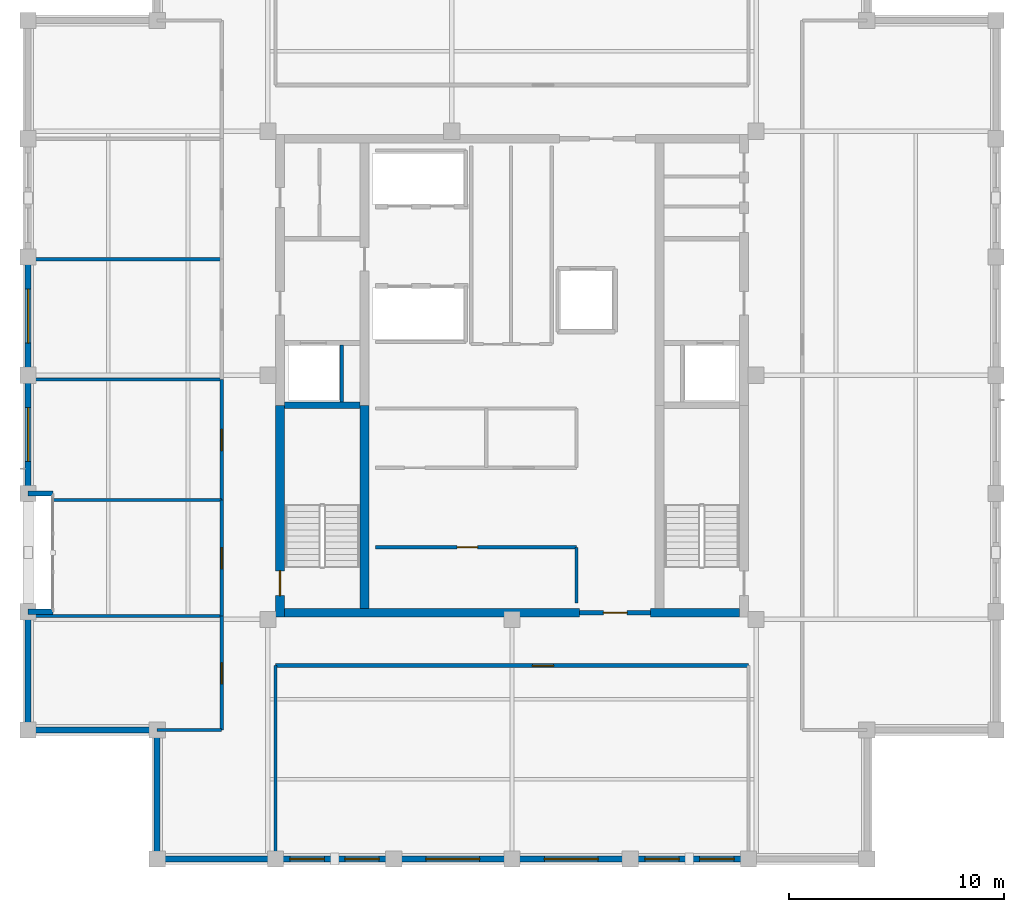
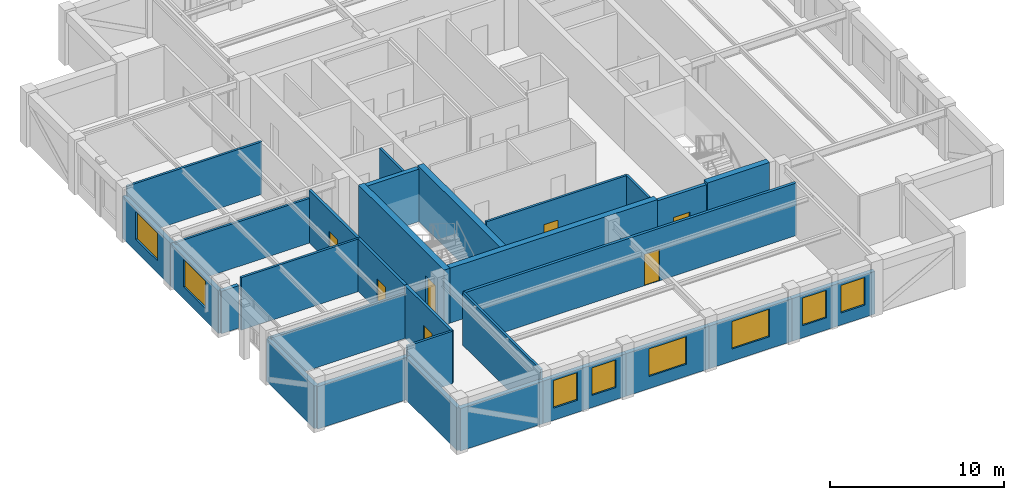
# One storey, part 9 of 13: 31 walls, 8 windows, 7 doors, 15 openings.
"""IFC4 building model written with IfcOpenShell, lengths in metres."""

import ifcopenshell
import ifcopenshell.guid

model = None  # the IFC model being written
_history = None  # IfcOwnerHistory: only IFC2X3 demands one
_inside = {}  # id of a spatial element -> (the spatial element, [elements in it])
_under = {}  # id of a project, library or spatial element -> (it, [spatial elements below it])
_declared = {}  # id of a project -> (the project, [libraries it declares])
_typed = {}  # id of a type object -> (the type object, [elements of that type])
_made_of = {}  # id of a material, layer set ... -> (it, [elements and type objects made of it])


def new_model(schema):
    """Start an empty IFC model of exactly this schema.

    Asked for "IFC4X3", IfcOpenShell would pick the latest addendum, in which some entities
    have other attributes; the version numbers below select the first issue.
    IFC2X3 requires an IfcOwnerHistory on every rooted entity: one is made here for all.
    """
    global model, _history
    if schema == "IFC4X3":
        model = ifcopenshell.file(schema_version=(4, 3, 0, 0))
    else:
        model = ifcopenshell.file(schema=schema)
    _inside.clear()
    _under.clear()
    _declared.clear()
    _typed.clear()
    _made_of.clear()
    _history = None
    if model.schema == "IFC2X3":
        org = make("IfcOrganization", Name="unknown")
        user = make(
            "IfcPersonAndOrganization",
            ThePerson=make("IfcPerson", FamilyName="unknown"),
            TheOrganization=org,
        )
        app = make(
            "IfcApplication",
            ApplicationDeveloper=org,
            Version="unknown",
            ApplicationFullName="unknown",
            ApplicationIdentifier="unknown",
        )
        _history = make(
            "IfcOwnerHistory",
            OwningUser=user,
            OwningApplication=app,
            ChangeAction="ADDED",
            CreationDate=0,
        )
    return model


def make(cls, **values):
    """One entity of the class cls with the attributes given. An attribute that is None is left unset."""
    return model.create_entity(
        cls, **{name: value for name, value in values.items() if value is not None}
    )


def rooted(cls, **values):
    """An entity with a GlobalId (a new one), such as an element, a storey or a relation."""
    return make(cls, GlobalId=ifcopenshell.guid.new(), OwnerHistory=_history, **values)


def si_unit(unit_type, name, prefix=None):
    """IfcSIUnit, for example si_unit("LENGTHUNIT", "METRE", prefix="MILLI")."""
    return make("IfcSIUnit", UnitType=unit_type, Prefix=prefix, Name=name)


def assignment(units):
    """IfcUnitAssignment: the units of a project."""
    return None if units is None else make("IfcUnitAssignment", Units=units)


def point(xyz):
    """IfcCartesianPoint."""
    return None if xyz is None else make("IfcCartesianPoint", Coordinates=xyz)


def direction(xyz):
    """IfcDirection."""
    return None if xyz is None else make("IfcDirection", DirectionRatios=xyz)


def frame(location, z_axis=None, x_axis=None):
    """IfcAxis2Placement3D, a coordinate frame: its origin and axes. An axis left out is left unset."""
    return make(
        "IfcAxis2Placement3D",
        Location=point(location),
        Axis=direction(z_axis),
        RefDirection=direction(x_axis),
    )


def frame_2d(location, x_axis=None):
    """IfcAxis2Placement2D, a coordinate frame in the plane: its origin and x axis."""
    return make(
        "IfcAxis2Placement2D", Location=point(location), RefDirection=direction(x_axis)
    )


def origin():
    """The frame at (0, 0, 0) with its axes left unset."""
    return frame((0.0, 0.0, 0.0))


def place(relative_to, where):
    """IfcLocalPlacement: puts the frame where relative to a parent placement (None: the world)."""
    return make(
        "IfcLocalPlacement", PlacementRelTo=relative_to, RelativePlacement=where
    )


def context(
    kind, dimensions, precision=None, world=None, true_north=None, identifier=None
):
    """IfcGeometricRepresentationContext, for example the 3D "Model" context."""
    return make(
        "IfcGeometricRepresentationContext",
        ContextIdentifier=identifier,
        ContextType=kind,
        CoordinateSpaceDimension=dimensions,
        Precision=precision,
        WorldCoordinateSystem=world,
        TrueNorth=true_north,
    )


def subcontext(parent, identifier, kind, view, scale=None):
    """IfcGeometricRepresentationSubContext, for example "Body" below "Model"."""
    return make(
        "IfcGeometricRepresentationSubContext",
        ContextIdentifier=identifier,
        ContextType=kind,
        ParentContext=parent,
        TargetScale=scale,
        TargetView=view,
    )


def project(units=None, contexts=None):
    """IfcProject with its units and contexts."""
    return rooted(
        "IfcProject",
        Name="project",
        RepresentationContexts=contexts,
        UnitsInContext=assignment(units),
    )


def spatial(cls, under=None, at=None, **own):
    """A site, building, storey or space (cls), placed at a placement, below another one or the project."""
    s = rooted(cls, ObjectPlacement=at, **own)
    if under is not None:
        _under.setdefault(under.id(), (under, []))[1].append(s)
    return s


def profile(cls, at=None, kind="AREA", **sizes):
    """A parametric profile (cls). Its sizes go by their IFC names, for example OverallWidth=200.0."""
    return make(cls, ProfileType=kind, Position=at, **sizes)


def rectangle(**sizes):
    """IfcRectangleProfileDef."""
    return profile("IfcRectangleProfileDef", **sizes)


def extrude(swept, where, along, depth):
    """IfcExtrudedAreaSolid: the profile swept, set in the frame where, extruded along a direction by depth."""
    return make(
        "IfcExtrudedAreaSolid",
        SweptArea=swept,
        Position=where,
        ExtrudedDirection=direction(along),
        Depth=depth,
    )


def shape(context_of_items, identifier, shape_type, items):
    """IfcShapeRepresentation: the items that make up one representation, for example the "Body"."""
    return make(
        "IfcShapeRepresentation",
        ContextOfItems=context_of_items,
        RepresentationIdentifier=identifier,
        RepresentationType=shape_type,
        Items=items,
    )


def material(Name=None, Category=None):
    """IfcMaterial."""
    return make("IfcMaterial", Name=Name, Category=Category)


def layer(
    of_material, thickness, ventilated=None, Name=None, Category=None, Priority=None
):
    """IfcMaterialLayer: one layer of a wall or slab, of a material (None: an air gap)."""
    return make(
        "IfcMaterialLayer",
        Material=of_material,
        LayerThickness=thickness,
        IsVentilated=ventilated,
        Name=Name,
        Category=Category,
        Priority=Priority,
    )


def layer_set(layers, Name=None):
    """IfcMaterialLayerSet."""
    return make("IfcMaterialLayerSet", MaterialLayers=layers, LayerSetName=Name)


def made_of(thing, what):
    """Note that an element or type object is made of a material, layer set ...; save() writes the relation."""
    if what is not None:
        _made_of.setdefault(what.id(), (what, []))[1].append(thing)
    return thing


def type_object(cls, material=None, **own):
    """A type object (cls), such as IfcWallType, which elements share."""
    return made_of(rooted(cls, **own), material)


def element(
    cls,
    number,
    at=None,
    inside=None,
    cuts=None,
    type_object=None,
    material=None,
    context=None,
    identifier="Body",
    shape_type=None,
    held_by="IfcProductDefinitionShape",
    body=None,
    shapes=None,
    **own,
):
    """One element of the class cls, such as IfcWall. Its Tag is "e" and its number.

    at: its placement. inside: the storey or other place that contains it. cuts: it is an
    opening in that element (IfcRelVoidsElement). A single representation is given by context,
    identifier, shape_type and body (its items); several are given by shapes. held_by: the class
    of the entity that holds the representations. save() writes the other relations.
    """
    e = rooted(cls, Tag="e%d" % number, ObjectPlacement=at, **own)
    if body is not None:
        shapes = [shape(context, identifier, shape_type, body)]
    if shapes is not None:
        e.Representation = make(held_by, Representations=shapes)
    if inside is not None:
        _inside.setdefault(inside.id(), (inside, []))[1].append(e)
    if cuts is not None:
        rooted(
            "IfcRelVoidsElement", RelatingBuildingElement=cuts, RelatedOpeningElement=e
        )
    if type_object is not None:
        _typed.setdefault(type_object.id(), (type_object, []))[1].append(e)
    return made_of(e, material)


def fill(opening, filler):
    """IfcRelFillsElement: the door or window that sits in an opening."""
    return rooted(
        "IfcRelFillsElement",
        RelatingOpeningElement=opening,
        RelatedBuildingElement=filler,
    )


def aggregate(whole, parts):
    """IfcRelAggregates: a whole, such as a stair, and the parts it consists of."""
    return rooted("IfcRelAggregates", RelatingObject=whole, RelatedObjects=parts)


def save(model, path):
    """Write the relations noted so far, then the file.

    IfcRelAggregates (storeys below a building ...), IfcRelContainedInSpatialStructure (elements
    in a storey), IfcRelDefinesByType, IfcRelAssociatesMaterial and IfcRelDeclares: one each for
    every whole, place, type object, material and project.
    """
    for whole, parts in _under.values():
        aggregate(whole, parts)
    for where, things in _inside.values():
        rooted(
            "IfcRelContainedInSpatialStructure",
            RelatedElements=things,
            RelatingStructure=where,
        )
    for kind, things in _typed.values():
        rooted("IfcRelDefinesByType", RelatedObjects=things, RelatingType=kind)
    for what, things in _made_of.values():
        rooted("IfcRelAssociatesMaterial", RelatedObjects=things, RelatingMaterial=what)
    for by, libraries in _declared.values():
        rooted("IfcRelDeclares", RelatingContext=by, RelatedDefinitions=libraries)
    model.write(path)


model = new_model("IFC4")

# Units and contexts
model_context = context("Model", 3, precision=1e-05, world=origin(), true_north=direction((0.0, 1.0)))
body_context = subcontext(model_context, "Body", "Model", "MODEL_VIEW")
ifc_project = project(units=[si_unit("LENGTHUNIT", "METRE"), si_unit("AREAUNIT", "SQUARE_METRE"), si_unit("VOLUMEUNIT", "CUBIC_METRE"), si_unit("PLANEANGLEUNIT", "RADIAN"), si_unit("MASSUNIT", "GRAM", prefix="KILO")], contexts=[model_context])

# Site, building, storey
site_placement = place(None, origin())
site = spatial("IfcSite", under=ifc_project, at=site_placement, CompositionType="ELEMENT")
building_placement = place(site_placement, origin())
building = spatial("IfcBuilding", under=site, at=building_placement, Name="Nhamokura Convention Tower", CompositionType="ELEMENT")
storey_placement = place(building_placement, frame((0.0, 0.0, 300.64990234375)))
storey = spatial("IfcBuildingStorey", under=building, at=storey_placement, Name="L74", CompositionType="ELEMENT", Elevation=300.64990234375)

# Wall
ifc_material_1 = material(Name="Bronze-pigmented precast concrete C45/55", Category="concrete")
ifc_layer_1 = layer(ifc_material_1, 0.280029296875)
ifc_layer_set_1 = layer_set([ifc_layer_1], Name="BronzePrecastSpandrel_280")
wall_type_1 = type_object("IfcWallType", Name="BronzePrecastSpandrel_280", PredefinedType="USERDEFINED", material=ifc_layer_set_1)
wall_1_placement = place(storey_placement, frame((21.0, 9.5, 0.0), z_axis=(0.0, 0.0, 1.0), x_axis=(-1.0, 0.0, 0.0)))
element("IfcWall", 1, at=wall_1_placement, inside=storey, type_object=wall_type_1, Name="L74 Braced-Bay Precast Wall SOUTH 0", ObjectType="SPANDREL_WALL", PredefinedType="USERDEFINED", context=body_context, shape_type="SweptSolid", body=[
    extrude(rectangle(XDim=5.5, YDim=0.280029296875, at=frame_2d((2.75, 0.0))), origin(), (0.0, 0.0, 1.0), 2.985107421875),
])

# Wall, openings, windows
wall_2_placement = place(storey_placement, frame((26.5, 9.5, 0.0), z_axis=(0.0, 0.0, 1.0), x_axis=(-1.0, 0.0, 0.0)))
wall_2 = element("IfcWall", 2, at=wall_2_placement, inside=storey, type_object=wall_type_1, Name="L74 Masonry-Frame Wall SOUTH 1", ObjectType="SPANDREL_WALL", PredefinedType="USERDEFINED", context=body_context, shape_type="SweptSolid", body=[
    extrude(rectangle(XDim=5.5, YDim=0.280029296875, at=frame_2d((2.75, 0.0))), origin(), (0.0, 0.0, 1.0), 2.985107421875),
])
opening_1_placement = place(wall_2_placement, frame((0.675048828125, 0.0, 0.85009765625)))
opening_1 = element("IfcOpeningElement", 3, at=opening_1_placement, cuts=wall_2, Name="Opening W-11", PredefinedType="OPENING", context=body_context, shape_type="SweptSolid", body=[
    extrude(rectangle(XDim=1.60009765625, YDim=1.93505859375, at=frame_2d((0.800048828125, 0.967529296875))), frame((0.0, 0.14990234375, 0.0), z_axis=(0.0, -1.0, 0.0), x_axis=(1.0, 0.0, 0.0)), (0.0, 0.0, 1.0), 0.300048828125),
])
opening_2_placement = place(wall_2_placement, frame((3.22509765625, 0.0, 0.85009765625)))
opening_2 = element("IfcOpeningElement", 4, at=opening_2_placement, cuts=wall_2, Name="Opening W-11", PredefinedType="OPENING", context=body_context, shape_type="SweptSolid", body=[
    extrude(rectangle(XDim=1.60009765625, YDim=1.93505859375, at=frame_2d((0.800048828125, 0.967529296875))), frame((0.0, 0.14990234375, 0.0), z_axis=(0.0, -1.0, 0.0), x_axis=(1.0, 0.0, 0.0)), (0.0, 0.0, 1.0), 0.300048828125),
])
ifc_material_2 = material(Name="Solar-control bronze low-E double glass", Category="glass")
window_type_1 = type_object("IfcWindowType", Name="NotchCornerWindow_1600", PartitioningType="SINGLE_PANEL", PredefinedType="WINDOW", material=ifc_material_2)
window_1_placement = place(opening_1_placement, origin())
window_1 = element("IfcWindow", 5, at=window_1_placement, inside=storey, type_object=window_type_1, Name="L74 Facade Window SOUTH 1-1", OverallHeight=1.93505859375, OverallWidth=1.60009765625, PartitioningType="SINGLE_PANEL", PredefinedType="WINDOW", context=body_context, shape_type="SweptSolid", body=[
    extrude(rectangle(XDim=1.60009765625, YDim=1.93505859375, at=frame_2d((0.800048828125, 0.967529296875))), frame((0.0, 0.030029296875, 0.0), z_axis=(0.0, -1.0, 0.0), x_axis=(1.0, 0.0, 0.0)), (0.0, 0.0, 1.0), 0.06005859375),
])
fill(opening_1, window_1)
window_2_placement = place(opening_2_placement, origin())
window_2 = element("IfcWindow", 6, at=window_2_placement, inside=storey, type_object=window_type_1, Name="L74 Facade Window SOUTH 1-2", OverallHeight=1.93505859375, OverallWidth=1.60009765625, PartitioningType="SINGLE_PANEL", PredefinedType="WINDOW", context=body_context, shape_type="SweptSolid", body=[
    extrude(rectangle(XDim=1.60009765625, YDim=1.93505859375, at=frame_2d((0.800048828125, 0.967529296875))), frame((0.0, 0.030029296875, 0.0), z_axis=(0.0, -1.0, 0.0), x_axis=(1.0, 0.0, 0.0)), (0.0, 0.0, 1.0), 0.06005859375),
])
fill(opening_2, window_2)

# Wall, opening, window
wall_3_placement = place(storey_placement, frame((32.0, 9.5, 0.0), z_axis=(0.0, 0.0, 1.0), x_axis=(-1.0, 0.0, 0.0)))
wall_3 = element("IfcWall", 7, at=wall_3_placement, inside=storey, type_object=wall_type_1, Name="L74 Masonry-Frame Wall SOUTH 2", ObjectType="SPANDREL_WALL", PredefinedType="USERDEFINED", context=body_context, shape_type="SweptSolid", body=[
    extrude(rectangle(XDim=5.5, YDim=0.280029296875, at=frame_2d((2.75, 0.0))), origin(), (0.0, 0.0, 1.0), 2.985107421875),
])
opening_3_placement = place(wall_3_placement, frame((1.5, 0.0, 0.85009765625)))
opening_3 = element("IfcOpeningElement", 8, at=opening_3_placement, cuts=wall_3, Name="Opening W-09", PredefinedType="OPENING", context=body_context, shape_type="SweptSolid", body=[
    extrude(rectangle(XDim=2.5, YDim=1.93505859375, at=frame_2d((1.25, 0.967529296875))), frame((0.0, 0.14990234375, 0.0), z_axis=(0.0, -1.0, 0.0), x_axis=(1.0, 0.0, 0.0)), (0.0, 0.0, 1.0), 0.300048828125),
])
ifc_material_3 = material(Name="Solar-control bronze low-E double glass", Category="glass")
window_type_2 = type_object("IfcWindowType", Name="SummitWindow_Z4_2500", PartitioningType="DOUBLE_PANEL_VERTICAL", PredefinedType="WINDOW", material=ifc_material_3)
window_3_placement = place(opening_3_placement, origin())
window_3 = element("IfcWindow", 9, at=window_3_placement, inside=storey, type_object=window_type_2, Name="L74 Facade Window SOUTH 2", OverallHeight=1.93505859375, OverallWidth=2.5, PartitioningType="SINGLE_PANEL", PredefinedType="WINDOW", context=body_context, shape_type="SweptSolid", body=[
    extrude(rectangle(XDim=2.5, YDim=1.93505859375, at=frame_2d((1.25, 0.967529296875))), frame((0.0, 0.030029296875, 0.0), z_axis=(0.0, -1.0, 0.0), x_axis=(1.0, 0.0, 0.0)), (0.0, 0.0, 1.0), 0.06005859375),
])
fill(opening_3, window_3)

wall_4_placement = place(storey_placement, frame((37.5, 9.5, 0.0), z_axis=(0.0, 0.0, 1.0), x_axis=(-1.0, 0.0, 0.0)))
wall_4 = element("IfcWall", 10, at=wall_4_placement, inside=storey, type_object=wall_type_1, Name="L74 Masonry-Frame Wall SOUTH 3", ObjectType="SPANDREL_WALL", PredefinedType="USERDEFINED", context=body_context, shape_type="SweptSolid", body=[
    extrude(rectangle(XDim=5.5, YDim=0.280029296875, at=frame_2d((2.75, 0.0))), origin(), (0.0, 0.0, 1.0), 2.985107421875),
])
opening_4_placement = place(wall_4_placement, frame((1.5, 0.0, 0.85009765625)))
opening_4 = element("IfcOpeningElement", 11, at=opening_4_placement, cuts=wall_4, Name="Opening W-09", PredefinedType="OPENING", context=body_context, shape_type="SweptSolid", body=[
    extrude(rectangle(XDim=2.5, YDim=1.93505859375, at=frame_2d((1.25, 0.967529296875))), frame((0.0, 0.14990234375, 0.0), z_axis=(0.0, -1.0, 0.0), x_axis=(1.0, 0.0, 0.0)), (0.0, 0.0, 1.0), 0.300048828125),
])
window_4_placement = place(opening_4_placement, origin())
window_4 = element("IfcWindow", 12, at=window_4_placement, inside=storey, type_object=window_type_2, Name="L74 Facade Window SOUTH 3", OverallHeight=1.93505859375, OverallWidth=2.5, PartitioningType="SINGLE_PANEL", PredefinedType="WINDOW", context=body_context, shape_type="SweptSolid", body=[
    extrude(rectangle(XDim=2.5, YDim=1.93505859375, at=frame_2d((1.25, 0.967529296875))), frame((0.0, 0.030029296875, 0.0), z_axis=(0.0, -1.0, 0.0), x_axis=(1.0, 0.0, 0.0)), (0.0, 0.0, 1.0), 0.06005859375),
])
fill(opening_4, window_4)

# Wall, openings, windows
wall_5_placement = place(storey_placement, frame((43.0, 9.5, 0.0), z_axis=(0.0, 0.0, 1.0), x_axis=(-1.0, 0.0, 0.0)))
wall_5 = element("IfcWall", 13, at=wall_5_placement, inside=storey, type_object=wall_type_1, Name="L74 Masonry-Frame Wall SOUTH 4", ObjectType="SPANDREL_WALL", PredefinedType="USERDEFINED", context=body_context, shape_type="SweptSolid", body=[
    extrude(rectangle(XDim=5.5, YDim=0.280029296875, at=frame_2d((2.75, 0.0))), origin(), (0.0, 0.0, 1.0), 2.985107421875),
])
opening_5_placement = place(wall_5_placement, frame((0.675048828125, 0.0, 0.85009765625)))
opening_5 = element("IfcOpeningElement", 14, at=opening_5_placement, cuts=wall_5, Name="Opening W-11", PredefinedType="OPENING", context=body_context, shape_type="SweptSolid", body=[
    extrude(rectangle(XDim=1.60009765625, YDim=1.93505859375, at=frame_2d((0.800048828125, 0.967529296875))), frame((0.0, 0.14990234375, 0.0), z_axis=(0.0, -1.0, 0.0), x_axis=(1.0, 0.0, 0.0)), (0.0, 0.0, 1.0), 0.300048828125),
])
opening_6_placement = place(wall_5_placement, frame((3.22509765625, 0.0, 0.85009765625)))
opening_6 = element("IfcOpeningElement", 15, at=opening_6_placement, cuts=wall_5, Name="Opening W-11", PredefinedType="OPENING", context=body_context, shape_type="SweptSolid", body=[
    extrude(rectangle(XDim=1.60009765625, YDim=1.93505859375, at=frame_2d((0.800048828125, 0.967529296875))), frame((0.0, 0.14990234375, 0.0), z_axis=(0.0, -1.0, 0.0), x_axis=(1.0, 0.0, 0.0)), (0.0, 0.0, 1.0), 0.300048828125),
])
window_5_placement = place(opening_5_placement, origin())
window_5 = element("IfcWindow", 16, at=window_5_placement, inside=storey, type_object=window_type_1, Name="L74 Facade Window SOUTH 4-1", OverallHeight=1.93505859375, OverallWidth=1.60009765625, PartitioningType="SINGLE_PANEL", PredefinedType="WINDOW", context=body_context, shape_type="SweptSolid", body=[
    extrude(rectangle(XDim=1.60009765625, YDim=1.93505859375, at=frame_2d((0.800048828125, 0.967529296875))), frame((0.0, 0.030029296875, 0.0), z_axis=(0.0, -1.0, 0.0), x_axis=(1.0, 0.0, 0.0)), (0.0, 0.0, 1.0), 0.06005859375),
])
fill(opening_5, window_5)
window_6_placement = place(opening_6_placement, origin())
window_6 = element("IfcWindow", 17, at=window_6_placement, inside=storey, type_object=window_type_1, Name="L74 Facade Window SOUTH 4-2", OverallHeight=1.93505859375, OverallWidth=1.60009765625, PartitioningType="SINGLE_PANEL", PredefinedType="WINDOW", context=body_context, shape_type="SweptSolid", body=[
    extrude(rectangle(XDim=1.60009765625, YDim=1.93505859375, at=frame_2d((0.800048828125, 0.967529296875))), frame((0.0, 0.030029296875, 0.0), z_axis=(0.0, -1.0, 0.0), x_axis=(1.0, 0.0, 0.0)), (0.0, 0.0, 1.0), 0.06005859375),
])
fill(opening_6, window_6)

# Walls
for number, where, z_axis, x_axis, name in (
    (18, (9.5, 21.0, 0.0), (0.0, 0.0, 1.0), (1.0, 0.0, 0.0), "L74 Scale Slot Cheek Wall WESTA"),
    (19, (9.5, 26.5, 0.0), (0.0, 0.0, 1.0), (1.0, 0.0, 0.0), "L74 Scale Slot Cheek Wall WESTB"),
):
    element("IfcWall", number, at=place(storey_placement, frame(where, z_axis=z_axis, x_axis=x_axis)), inside=storey, type_object=wall_type_1, Name=name, ObjectType="SPANDREL_WALL", PredefinedType="USERDEFINED", context=body_context, shape_type="SweptSolid", body=[
        extrude(rectangle(XDim=1.14990234375, YDim=0.239990234375, at=frame_2d((0.574951171875, 0.0))), origin(), (0.0, 0.0, 1.0), 2.985107421875),
    ])
wall_6_placement = place(storey_placement, frame((9.5, 15.5, 0.0), z_axis=(0.0, 0.0, 1.0), x_axis=(0.0, 1.0, 0.0)))
element("IfcWall", 20, at=wall_6_placement, inside=storey, type_object=wall_type_1, Name="L74 Braced-Bay Precast Wall WEST 0", ObjectType="SPANDREL_WALL", PredefinedType="USERDEFINED", context=body_context, shape_type="SweptSolid", body=[
    extrude(rectangle(XDim=5.5, YDim=0.280029296875, at=frame_2d((2.75, 0.0))), origin(), (0.0, 0.0, 1.0), 2.985107421875),
])

# Wall, opening, window
wall_7_placement = place(storey_placement, frame((9.5, 26.5, 0.0), z_axis=(0.0, 0.0, 1.0), x_axis=(0.0, 1.0, 0.0)))
wall_7 = element("IfcWall", 21, at=wall_7_placement, inside=storey, type_object=wall_type_1, Name="L74 Masonry-Frame Wall WEST 2", ObjectType="SPANDREL_WALL", PredefinedType="USERDEFINED", context=body_context, shape_type="SweptSolid", body=[
    extrude(rectangle(XDim=5.5, YDim=0.280029296875, at=frame_2d((2.75, 0.0))), origin(), (0.0, 0.0, 1.0), 2.985107421875),
])
opening_7_placement = place(wall_7_placement, frame((1.5, 0.0, 0.85009765625)))
opening_7 = element("IfcOpeningElement", 22, at=opening_7_placement, cuts=wall_7, Name="Opening W-09", PredefinedType="OPENING", context=body_context, shape_type="SweptSolid", body=[
    extrude(rectangle(XDim=2.5, YDim=1.93505859375, at=frame_2d((1.25, 0.967529296875))), frame((0.0, 0.14990234375, 0.0), z_axis=(0.0, -1.0, 0.0), x_axis=(1.0, 0.0, 0.0)), (0.0, 0.0, 1.0), 0.300048828125),
])
window_7_placement = place(opening_7_placement, origin())
window_7 = element("IfcWindow", 23, at=window_7_placement, inside=storey, type_object=window_type_2, Name="L74 Facade Window WEST 2", OverallHeight=1.93505859375, OverallWidth=2.5, PartitioningType="SINGLE_PANEL", PredefinedType="WINDOW", context=body_context, shape_type="SweptSolid", body=[
    extrude(rectangle(XDim=2.5, YDim=1.93505859375, at=frame_2d((1.25, 0.967529296875))), frame((0.0, 0.030029296875, 0.0), z_axis=(0.0, -1.0, 0.0), x_axis=(1.0, 0.0, 0.0)), (0.0, 0.0, 1.0), 0.06005859375),
])
fill(opening_7, window_7)

wall_8_placement = place(storey_placement, frame((9.5, 32.0, 0.0), z_axis=(0.0, 0.0, 1.0), x_axis=(0.0, 1.0, 0.0)))
wall_8 = element("IfcWall", 24, at=wall_8_placement, inside=storey, type_object=wall_type_1, Name="L74 Masonry-Frame Wall WEST 3", ObjectType="SPANDREL_WALL", PredefinedType="USERDEFINED", context=body_context, shape_type="SweptSolid", body=[
    extrude(rectangle(XDim=5.5, YDim=0.280029296875, at=frame_2d((2.75, 0.0))), origin(), (0.0, 0.0, 1.0), 2.985107421875),
])
opening_8_placement = place(wall_8_placement, frame((1.5, 0.0, 0.85009765625)))
opening_8 = element("IfcOpeningElement", 25, at=opening_8_placement, cuts=wall_8, Name="Opening W-09", PredefinedType="OPENING", context=body_context, shape_type="SweptSolid", body=[
    extrude(rectangle(XDim=2.5, YDim=1.93505859375, at=frame_2d((1.25, 0.967529296875))), frame((0.0, 0.14990234375, 0.0), z_axis=(0.0, -1.0, 0.0), x_axis=(1.0, 0.0, 0.0)), (0.0, 0.0, 1.0), 0.300048828125),
])
window_8_placement = place(opening_8_placement, origin())
window_8 = element("IfcWindow", 26, at=window_8_placement, inside=storey, type_object=window_type_2, Name="L74 Facade Window WEST 3", OverallHeight=1.93505859375, OverallWidth=2.5, PartitioningType="SINGLE_PANEL", PredefinedType="WINDOW", context=body_context, shape_type="SweptSolid", body=[
    extrude(rectangle(XDim=2.5, YDim=1.93505859375, at=frame_2d((1.25, 0.967529296875))), frame((0.0, 0.030029296875, 0.0), z_axis=(0.0, -1.0, 0.0), x_axis=(1.0, 0.0, 0.0)), (0.0, 0.0, 1.0), 0.06005859375),
])
fill(opening_8, window_8)

# Walls
for number, where, z_axis, x_axis, name in (
    (27, (15.5, 9.5, 0.0), (0.0, 0.0, 1.0), (0.0, 1.0, 0.0), "L74 Notched Corner Wall SW1"),
    (28, (15.5, 15.5, 0.0), (0.0, 0.0, 1.0), (-1.0, 0.0, 0.0), "L74 Notched Corner Wall SW2"),
):
    element("IfcWall", number, at=place(storey_placement, frame(where, z_axis=z_axis, x_axis=x_axis)), inside=storey, type_object=wall_type_1, Name=name, ObjectType="SPANDREL_WALL", PredefinedType="USERDEFINED", context=body_context, shape_type="SweptSolid", body=[
        extrude(rectangle(XDim=6.0, YDim=0.280029296875, at=frame_2d((3.0, 0.0))), origin(), (0.0, 0.0, 1.0), 2.985107421875),
    ])

# Wall, opening, door
ifc_material_4 = material(Name="Concrete C50/60", Category="concrete")
ifc_layer_2 = layer(ifc_material_4, 0.39990234375)
ifc_layer_set_2 = layer_set([ifc_layer_2], Name="CoreShearWall_400")
wall_type_2 = type_object("IfcWallType", Name="CoreShearWall_400", PredefinedType="SHEAR", material=ifc_layer_set_2)
wall_9_placement = place(storey_placement, frame((21.2099609375, 20.75, 0.0), z_axis=(0.0, 0.0, 1.0), x_axis=(0.0, 1.0, 0.0)))
wall_9 = element("IfcWall", 29, at=wall_9_placement, inside=storey, type_object=wall_type_2, Name="L74 Core Shear Wall CW-WS", PredefinedType="SHEAR", context=body_context, shape_type="SweptSolid", body=[
    extrude(rectangle(XDim=9.85009765625, YDim=0.39990234375, at=frame_2d((4.925048828125, 0.0))), origin(), (0.0, 0.0, 1.0), 3.85009765625),
])
opening_9_placement = place(wall_9_placement, frame((1.0, 0.0, 0.0)))
opening_9 = element("IfcOpeningElement", 30, at=opening_9_placement, cuts=wall_9, Name="Opening D-04", PredefinedType="OPENING", context=body_context, shape_type="SweptSolid", body=[
    extrude(rectangle(XDim=1.14990234375, YDim=2.14990234375, at=frame_2d((0.574951171875, 1.074951171875))), frame((0.0, 0.2099609375, 0.0), z_axis=(0.0, -1.0, 0.0), x_axis=(1.0, 0.0, 0.0)), (0.0, 0.0, 1.0), 0.419921875),
])
ifc_material_5 = material(Name="Fire-rated steel door", Category="steel")
door_type_1 = type_object("IfcDoorType", Name="StairSmokeDoor_1150", OperationType="NOTDEFINED", PredefinedType="DOOR", material=ifc_material_5)
door_1_placement = place(opening_9_placement, origin())
door_1 = element("IfcDoor", 31, at=door_1_placement, inside=storey, type_object=door_type_1, Name="L74 Core Door INT-L74-D-ST01", OperationType="SINGLE_SWING_LEFT", OverallHeight=2.14990234375, OverallWidth=1.14990234375, PredefinedType="DOOR", context=body_context, shape_type="SweptSolid", body=[
    extrude(rectangle(XDim=1.14990234375, YDim=2.14990234375, at=frame_2d((0.574951171875, 1.074951171875))), frame((0.0, 0.02490234375, 0.0), z_axis=(0.0, -1.0, 0.0), x_axis=(1.0, 0.0, 0.0)), (0.0, 0.0, 1.0), 0.050048828125),
])
fill(opening_9, door_1)

# Walls
wall_10_placement = place(storey_placement, frame((21.409912109375, 20.949951171875, 0.0), z_axis=(0.0, 0.0, 1.0), x_axis=(1.0, 0.0, 0.0)))
element("IfcWall", 32, at=wall_10_placement, inside=storey, type_object=wall_type_2, Name="L74 Core Shear Wall CW-S1", PredefinedType="SHEAR", context=body_context, shape_type="SweptSolid", body=[
    extrude(rectangle(XDim=13.739990234375, YDim=0.39990234375, at=frame_2d((6.8701171875, 0.0))), origin(), (0.0, 0.0, 1.0), 3.85009765625),
])
wall_11_placement = place(storey_placement, frame((38.449951171875, 20.949951171875, 0.0), z_axis=(0.0, 0.0, 1.0), x_axis=(1.0, 0.0, 0.0)))
element("IfcWall", 33, at=wall_11_placement, inside=storey, type_object=wall_type_2, Name="L74 Core Shear Wall CW-S2", PredefinedType="SHEAR", context=body_context, shape_type="SweptSolid", body=[
    extrude(rectangle(XDim=4.14013671875, YDim=0.39990234375, at=frame_2d((2.070068359375, 0.0))), origin(), (0.0, 0.0, 1.0), 3.85009765625),
])
wall_12_placement = place(storey_placement, frame((25.139892578125, 21.14990234375, 0.0), z_axis=(0.0, 0.0, 1.0), x_axis=(0.0, 1.0, 0.0)))
element("IfcWall", 34, at=wall_12_placement, inside=storey, type_object=wall_type_2, Name="L74 Core Shear Wall CW-IWS", PredefinedType="SHEAR", context=body_context, shape_type="SweptSolid", body=[
    extrude(rectangle(XDim=9.4501953125, YDim=0.39990234375, at=frame_2d((4.72509765625, 0.0))), origin(), (0.0, 0.0, 1.0), 3.85009765625),
])

# Wall, opening, door
ifc_material_6 = material(Name="Fire-rated gypsum and masonry partition", Category="masonry")
ifc_layer_3 = layer(ifc_material_6, 0.179931640625)
ifc_layer_set_3 = layer_set([ifc_layer_3], Name="CorridorRatedWall_180")
wall_type_3 = type_object("IfcWallType", Name="CorridorRatedWall_180", PredefinedType="STANDARD", material=ifc_layer_set_3)
wall_13_placement = place(storey_placement, frame((21.0, 18.5, 0.0), z_axis=(0.0, 0.0, 1.0), x_axis=(1.0, 0.0, 0.0)))
wall_13 = element("IfcWall", 35, at=wall_13_placement, inside=storey, type_object=wall_type_3, Name="L74 Wall INT-L74-CW-S00", PredefinedType="STANDARD", context=body_context, shape_type="SweptSolid", body=[
    extrude(rectangle(XDim=22.0, YDim=0.179931640625, at=frame_2d((11.0, 0.0))), origin(), (0.0, 0.0, 1.0), 3.68505859375),
])
opening_10_placement = place(wall_13_placement, frame((11.949951171875, 0.0, 0.0)))
opening_10 = element("IfcOpeningElement", 36, at=opening_10_placement, cuts=wall_13, Name="Opening D-08", PredefinedType="OPENING", context=body_context, shape_type="SweptSolid", body=[
    extrude(rectangle(XDim=0.97998046875, YDim=2.199951171875, at=frame_2d((0.489990234375, 1.10009765625))), frame((0.0, 0.099853515625, 0.0), z_axis=(0.0, -1.0, 0.0), x_axis=(1.0, 0.0, 0.0)), (0.0, 0.0, 1.0), 0.199951171875),
])
ifc_material_7 = material(Name="Solid oak hardwood", Category="wood")
door_type_2 = type_object("IfcDoorType", Name="OfficeEntryDoor_980", OperationType="NOTDEFINED", PredefinedType="DOOR", material=ifc_material_7)
door_2_placement = place(opening_10_placement, origin())
door_2 = element("IfcDoor", 37, at=door_2_placement, inside=storey, type_object=door_type_2, Name="L74 Banquet Dining Room S01 Door", OperationType="SINGLE_SWING_LEFT", OverallHeight=2.199951171875, OverallWidth=0.97998046875, PredefinedType="DOOR", context=body_context, shape_type="SweptSolid", body=[
    extrude(rectangle(XDim=0.97998046875, YDim=2.199951171875, at=frame_2d((0.489990234375, 1.10009765625))), frame((0.0, 0.02490234375, 0.0), z_axis=(0.0, -1.0, 0.0), x_axis=(1.0, 0.0, 0.0)), (0.0, 0.0, 1.0), 0.050048828125),
])
fill(opening_10, door_2)

wall_14_placement = place(storey_placement, frame((18.5, 15.5, 0.0), z_axis=(0.0, 0.0, 1.0), x_axis=(0.0, 1.0, 0.0)))
wall_14 = element("IfcWall", 38, at=wall_14_placement, inside=storey, type_object=wall_type_3, Name="L74 Wall INT-L74-CW-W00", PredefinedType="STANDARD", context=body_context, shape_type="SweptSolid", body=[
    extrude(rectangle(XDim=5.300048828125, YDim=0.179931640625, at=frame_2d((2.64990234375, 0.0))), origin(), (0.0, 0.0, 1.0), 3.68505859375),
])
opening_11_placement = place(wall_14_placement, frame((2.14990234375, 0.0, 0.0)))
opening_11 = element("IfcOpeningElement", 39, at=opening_11_placement, cuts=wall_14, Name="Opening D-08", PredefinedType="OPENING", context=body_context, shape_type="SweptSolid", body=[
    extrude(rectangle(XDim=0.97998046875, YDim=2.199951171875, at=frame_2d((0.489990234375, 1.10009765625))), frame((0.0, 0.099853515625, 0.0), z_axis=(0.0, -1.0, 0.0), x_axis=(1.0, 0.0, 0.0)), (0.0, 0.0, 1.0), 0.199951171875),
])
door_3_placement = place(opening_11_placement, origin())
door_3 = element("IfcDoor", 40, at=door_3_placement, inside=storey, type_object=door_type_2, Name="L74 Data Laboratory W01 Door", OperationType="SINGLE_SWING_LEFT", OverallHeight=2.199951171875, OverallWidth=0.97998046875, PredefinedType="DOOR", context=body_context, shape_type="SweptSolid", body=[
    extrude(rectangle(XDim=0.97998046875, YDim=2.199951171875, at=frame_2d((0.489990234375, 1.10009765625))), frame((0.0, 0.02490234375, 0.0), z_axis=(0.0, -1.0, 0.0), x_axis=(1.0, 0.0, 0.0)), (0.0, 0.0, 1.0), 0.050048828125),
])
fill(opening_11, door_3)

wall_15_placement = place(storey_placement, frame((18.5, 20.800048828125, 0.0), z_axis=(0.0, 0.0, 1.0), x_axis=(0.0, 1.0, 0.0)))
wall_15 = element("IfcWall", 41, at=wall_15_placement, inside=storey, type_object=wall_type_3, Name="L74 Wall INT-L74-CW-W01", PredefinedType="STANDARD", context=body_context, shape_type="SweptSolid", body=[
    extrude(rectangle(XDim=5.39990234375, YDim=0.179931640625, at=frame_2d((2.699951171875, 0.0))), origin(), (0.0, 0.0, 1.0), 3.68505859375),
])
opening_12_placement = place(wall_15_placement, frame((2.199951171875, 0.0, 0.0)))
opening_12 = element("IfcOpeningElement", 42, at=opening_12_placement, cuts=wall_15, Name="Opening D-08", PredefinedType="OPENING", context=body_context, shape_type="SweptSolid", body=[
    extrude(rectangle(XDim=0.97998046875, YDim=2.199951171875, at=frame_2d((0.489990234375, 1.10009765625))), frame((0.0, 0.099853515625, 0.0), z_axis=(0.0, -1.0, 0.0), x_axis=(1.0, 0.0, 0.0)), (0.0, 0.0, 1.0), 0.199951171875),
])
door_4_placement = place(opening_12_placement, origin())
door_4 = element("IfcDoor", 43, at=door_4_placement, inside=storey, type_object=door_type_2, Name="L74 Medical Clinic W02 Door", OperationType="SINGLE_SWING_RIGHT", OverallHeight=2.199951171875, OverallWidth=0.97998046875, PredefinedType="DOOR", context=body_context, shape_type="SweptSolid", body=[
    extrude(rectangle(XDim=0.97998046875, YDim=2.199951171875, at=frame_2d((0.489990234375, 1.10009765625))), frame((0.0, 0.02490234375, 0.0), z_axis=(0.0, -1.0, 0.0), x_axis=(1.0, 0.0, 0.0)), (0.0, 0.0, 1.0), 0.050048828125),
])
fill(opening_12, door_4)

wall_16_placement = place(storey_placement, frame((18.5, 26.199951171875, 0.0), z_axis=(0.0, 0.0, 1.0), x_axis=(0.0, 1.0, 0.0)))
wall_16 = element("IfcWall", 44, at=wall_16_placement, inside=storey, type_object=wall_type_3, Name="L74 Wall INT-L74-CW-W02", PredefinedType="STANDARD", context=body_context, shape_type="SweptSolid", body=[
    extrude(rectangle(XDim=5.60009765625, YDim=0.179931640625, at=frame_2d((2.800048828125, 0.0))), origin(), (0.0, 0.0, 1.0), 3.68505859375),
])
opening_13_placement = place(wall_16_placement, frame((2.300048828125, 0.0, 0.0)))
opening_13 = element("IfcOpeningElement", 45, at=opening_13_placement, cuts=wall_16, Name="Opening D-08", PredefinedType="OPENING", context=body_context, shape_type="SweptSolid", body=[
    extrude(rectangle(XDim=0.97998046875, YDim=2.199951171875, at=frame_2d((0.489990234375, 1.10009765625))), frame((0.0, 0.099853515625, 0.0), z_axis=(0.0, -1.0, 0.0), x_axis=(1.0, 0.0, 0.0)), (0.0, 0.0, 1.0), 0.199951171875),
])
door_5_placement = place(opening_13_placement, origin())
door_5 = element("IfcDoor", 46, at=door_5_placement, inside=storey, type_object=door_type_2, Name="L74 Broadcast Studio W03 Door", OperationType="SINGLE_SWING_LEFT", OverallHeight=2.199951171875, OverallWidth=0.97998046875, PredefinedType="DOOR", context=body_context, shape_type="SweptSolid", body=[
    extrude(rectangle(XDim=0.97998046875, YDim=2.199951171875, at=frame_2d((0.489990234375, 1.10009765625))), frame((0.0, 0.02490234375, 0.0), z_axis=(0.0, -1.0, 0.0), x_axis=(1.0, 0.0, 0.0)), (0.0, 0.0, 1.0), 0.050048828125),
])
fill(opening_13, door_5)

ifc_material_8 = material(Name="Autoclaved concrete blockwork", Category="masonry")
ifc_layer_4 = layer(ifc_material_8, 0.219970703125)
ifc_layer_set_4 = layer_set([ifc_layer_4], Name="FireLobbyWall_220")
wall_type_4 = type_object("IfcWallType", Name="FireLobbyWall_220", PredefinedType="STANDARD", material=ifc_layer_set_4)
wall_17_placement = place(storey_placement, frame((35.14990234375, 20.949951171875, 0.0), z_axis=(0.0, 0.0, 1.0), x_axis=(1.0, 0.0, 0.0)))
wall_17 = element("IfcWall", 47, at=wall_17_placement, inside=storey, type_object=wall_type_4, Name="L74 Wall INT-L74-SPORT-S", PredefinedType="STANDARD", context=body_context, shape_type="SweptSolid", body=[
    extrude(rectangle(XDim=3.300048828125, YDim=0.219970703125, at=frame_2d((1.64990234375, 0.0))), origin(), (0.0, 0.0, 1.0), 3.68505859375),
])
opening_14_placement = place(wall_17_placement, frame((1.10009765625, 0.0, 0.0)))
opening_14 = element("IfcOpeningElement", 48, at=opening_14_placement, cuts=wall_17, Name="Opening D-05", PredefinedType="OPENING", context=body_context, shape_type="SweptSolid", body=[
    extrude(rectangle(XDim=1.10009765625, YDim=2.14990234375, at=frame_2d((0.550048828125, 1.074951171875))), frame((0.0, 0.119873046875, 0.0), z_axis=(0.0, -1.0, 0.0), x_axis=(1.0, 0.0, 0.0)), (0.0, 0.0, 1.0), 0.239990234375),
])
ifc_material_9 = material(Name="Fire-rated steel door", Category="steel")
door_type_3 = type_object("IfcDoorType", Name="FireLobbyDoor_1100", OperationType="NOTDEFINED", PredefinedType="DOOR", material=ifc_material_9)
door_6_placement = place(opening_14_placement, origin())
door_6 = element("IfcDoor", 49, at=door_6_placement, inside=storey, type_object=door_type_3, Name="L74 South Core Lobby Portal Door", OperationType="SINGLE_SWING_LEFT", OverallHeight=2.14990234375, OverallWidth=1.10009765625, PredefinedType="DOOR", context=body_context, shape_type="SweptSolid", body=[
    extrude(rectangle(XDim=1.10009765625, YDim=2.14990234375, at=frame_2d((0.550048828125, 1.074951171875))), frame((0.0, 0.02490234375, 0.0), z_axis=(0.0, -1.0, 0.0), x_axis=(1.0, 0.0, 0.0)), (0.0, 0.0, 1.0), 0.050048828125),
])
fill(opening_14, door_6)

# Wall
ifc_material_10 = material(Name="Acoustic gypsum stud partition", Category="masonry")
ifc_layer_5 = layer(ifc_material_10, 0.14990234375)
ifc_layer_set_5 = layer_set([ifc_layer_5], Name="InteriorPartition_150")
wall_type_5 = type_object("IfcWallType", Name="InteriorPartition_150", PredefinedType="STANDARD", material=ifc_layer_set_5)
wall_18_placement = place(storey_placement, frame((24.080078125, 30.75, 0.0), z_axis=(0.0, 0.0, 1.0), x_axis=(0.0, 1.0, 0.0)))
element("IfcWall", 50, at=wall_18_placement, inside=storey, type_object=wall_type_5, Name="L74 Wall INT-L74-FF1-E", PredefinedType="STANDARD", context=body_context, shape_type="SweptSolid", body=[
    extrude(rectangle(XDim=2.64990234375, YDim=0.14990234375, at=frame_2d((1.324951171875, 0.0))), origin(), (0.0, 0.0, 1.0), 3.68505859375),
])

# Wall, opening, door
wall_19_placement = place(storey_placement, frame((25.64990234375, 24.0, 0.0), z_axis=(0.0, 0.0, 1.0), x_axis=(1.0, 0.0, 0.0)))
wall_19 = element("IfcWall", 51, at=wall_19_placement, inside=storey, type_object=wall_type_5, Name="L74 Wall INT-L74-B1R-N", PredefinedType="STANDARD", context=body_context, shape_type="SweptSolid", body=[
    extrude(rectangle(XDim=9.35009765625, YDim=0.14990234375, at=frame_2d((4.675048828125, 0.0))), origin(), (0.0, 0.0, 1.0), 3.68505859375),
])
opening_15_placement = place(wall_19_placement, frame((3.800048828125, 0.0, 0.0)))
opening_15 = element("IfcOpeningElement", 52, at=opening_15_placement, cuts=wall_19, Name="Opening D-09", PredefinedType="OPENING", context=body_context, shape_type="SweptSolid", body=[
    extrude(rectangle(XDim=0.949951171875, YDim=2.14990234375, at=frame_2d((0.47509765625, 1.074951171875))), frame((0.0, 0.0849609375, 0.0), z_axis=(0.0, -1.0, 0.0), x_axis=(1.0, 0.0, 0.0)), (0.0, 0.0, 1.0), 0.169921875),
])
ifc_material_11 = material(Name="Solid oak hardwood", Category="wood")
door_type_4 = type_object("IfcDoorType", Name="MeetingRoomDoor_950", OperationType="NOTDEFINED", PredefinedType="DOOR", material=ifc_material_11)
door_7_placement = place(opening_15_placement, origin())
door_7 = element("IfcDoor", 53, at=door_7_placement, inside=storey, type_object=door_type_4, Name="L74 Reclaimed Briefing Room Door", OperationType="SINGLE_SWING_LEFT", OverallHeight=2.14990234375, OverallWidth=0.949951171875, PredefinedType="DOOR", context=body_context, shape_type="SweptSolid", body=[
    extrude(rectangle(XDim=0.949951171875, YDim=2.14990234375, at=frame_2d((0.47509765625, 1.074951171875))), frame((0.0, 0.02490234375, 0.0), z_axis=(0.0, -1.0, 0.0), x_axis=(1.0, 0.0, 0.0)), (0.0, 0.0, 1.0), 0.050048828125),
])
fill(opening_15, door_7)

# Walls
wall_20_placement = place(storey_placement, frame((35.0, 21.39990234375, 0.0), z_axis=(0.0, 0.0, 1.0), x_axis=(0.0, 1.0, 0.0)))
element("IfcWall", 54, at=wall_20_placement, inside=storey, type_object=wall_type_5, Name="L74 Wall INT-L74-B1R-E", PredefinedType="STANDARD", context=body_context, shape_type="SweptSolid", body=[
    extrude(rectangle(XDim=2.60009765625, YDim=0.14990234375, at=frame_2d((1.300048828125, 0.0))), origin(), (0.0, 0.0, 1.0), 3.68505859375),
])
wall_21_placement = place(storey_placement, frame((21.0, 9.56005859375, 0.0), z_axis=(0.0, 0.0, 1.0), x_axis=(0.0, 1.0, 0.0)))
element("IfcWall", 55, at=wall_21_placement, inside=storey, type_object=wall_type_5, Name="L74 Wall INT-L74-RWL-S", PredefinedType="STANDARD", context=body_context, shape_type="SweptSolid", body=[
    extrude(rectangle(XDim=8.93994140625, YDim=0.14990234375, at=frame_2d((4.469970703125, 0.0))), origin(), (0.0, 0.0, 1.0), 3.68505859375),
])
wall_22_placement = place(storey_placement, frame((9.56005859375, 20.800048828125, 0.0), z_axis=(0.0, 0.0, 1.0), x_axis=(1.0, 0.0, 0.0)))
element("IfcWall", 56, at=wall_22_placement, inside=storey, type_object=wall_type_5, Name="L74 Wall INT-L74-RW-W01", PredefinedType="STANDARD", context=body_context, shape_type="SweptSolid", body=[
    extrude(rectangle(XDim=8.93994140625, YDim=0.14990234375, at=frame_2d((4.469970703125, 0.0))), origin(), (0.0, 0.0, 1.0), 3.14013671875),
])
wall_23_placement = place(storey_placement, frame((10.659912109375, 26.199951171875, 0.0), z_axis=(0.0, 0.0, 1.0), x_axis=(1.0, 0.0, 0.0)))
element("IfcWall", 57, at=wall_23_placement, inside=storey, type_object=wall_type_5, Name="L74 Wall INT-L74-RW-W02", PredefinedType="STANDARD", context=body_context, shape_type="SweptSolid", body=[
    extrude(rectangle(XDim=7.840087890625, YDim=0.14990234375, at=frame_2d((3.919921875, 0.0))), origin(), (0.0, 0.0, 1.0), 3.68505859375),
])
wall_24_placement = place(storey_placement, frame((9.56005859375, 31.800048828125, 0.0), z_axis=(0.0, 0.0, 1.0), x_axis=(1.0, 0.0, 0.0)))
element("IfcWall", 58, at=wall_24_placement, inside=storey, type_object=wall_type_5, Name="L74 Wall INT-L74-RW-W03", PredefinedType="STANDARD", context=body_context, shape_type="SweptSolid", body=[
    extrude(rectangle(XDim=8.93994140625, YDim=0.14990234375, at=frame_2d((4.469970703125, 0.0))), origin(), (0.0, 0.0, 1.0), 3.14013671875),
])
wall_25_placement = place(storey_placement, frame((9.56005859375, 37.39990234375, 0.0), z_axis=(0.0, 0.0, 1.0), x_axis=(1.0, 0.0, 0.0)))
element("IfcWall", 59, at=wall_25_placement, inside=storey, type_object=wall_type_5, Name="L74 Wall INT-L74-RW-W04", PredefinedType="STANDARD", context=body_context, shape_type="SweptSolid", body=[
    extrude(rectangle(XDim=8.93994140625, YDim=0.14990234375, at=frame_2d((4.469970703125, 0.0))), origin(), (0.0, 0.0, 1.0), 3.68505859375),
])
wall_26_placement = place(storey_placement, frame((15.5, 15.5, 0.0), z_axis=(0.0, 0.0, 1.0), x_axis=(1.0, 0.0, 0.0)))
element("IfcWall", 60, at=wall_26_placement, inside=storey, type_object=wall_type_5, Name="L74 Wall INT-L74-VSTP-WS", PredefinedType="STANDARD", context=body_context, shape_type="SweptSolid", body=[
    extrude(rectangle(XDim=3.0, YDim=0.14990234375, at=frame_2d((1.5, 0.0))), origin(), (0.0, 0.0, 1.0), 3.68505859375),
])
ifc_material_12 = material(Name="Concrete C50/60", Category="concrete")
ifc_layer_6 = layer(ifc_material_12, 0.300048828125)
ifc_layer_set_6 = layer_set([ifc_layer_6], Name="ShaftEnclosureWall_300")
wall_type_6 = type_object("IfcWallType", Name="ShaftEnclosureWall_300", PredefinedType="SHEAR", material=ifc_layer_set_6)
wall_27_placement = place(storey_placement, frame((21.409912109375, 30.60009765625, 0.0), z_axis=(0.0, 0.0, 1.0), x_axis=(1.0, 0.0, 0.0)))
element("IfcWall", 61, at=wall_27_placement, inside=storey, type_object=wall_type_6, Name="L74 Wall INT-L74-ST01-N", PredefinedType="SHEAR", context=body_context, shape_type="SweptSolid", body=[
    extrude(rectangle(XDim=3.530029296875, YDim=0.300048828125, at=frame_2d((1.76513671875, 0.0))), origin(), (0.0, 0.0, 1.0), 3.68505859375),
])

save(model, "model.ifc")
